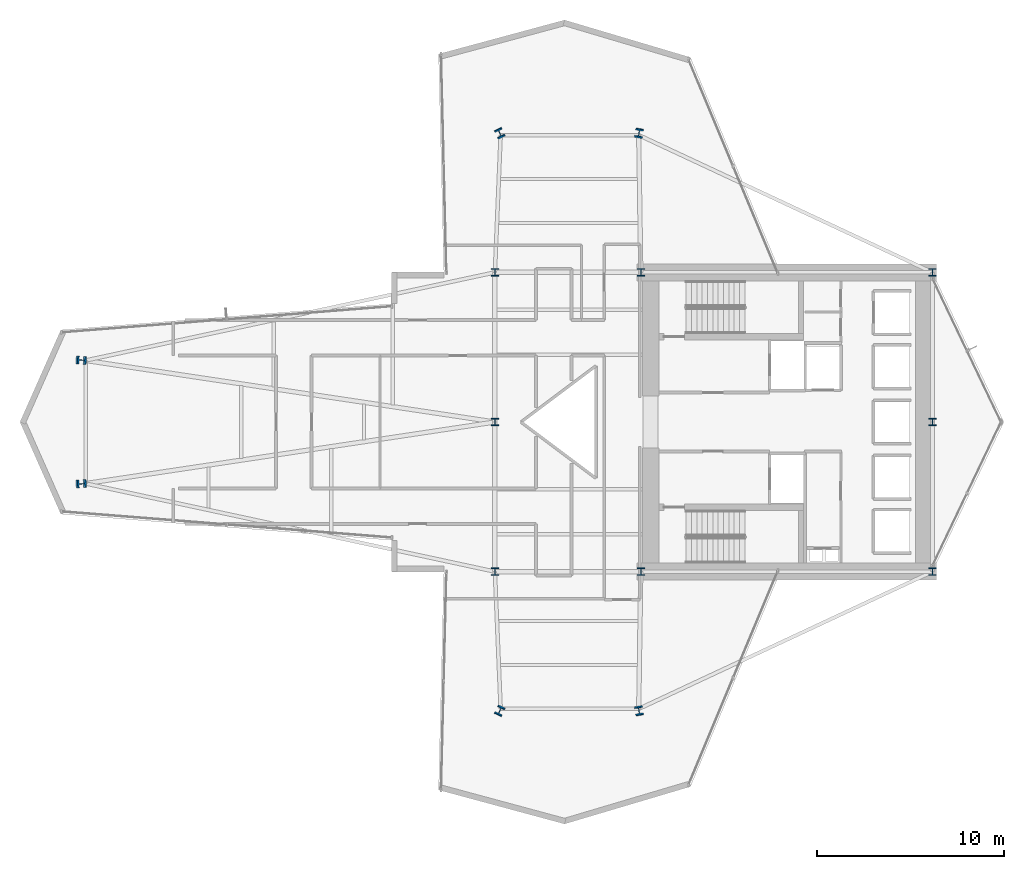
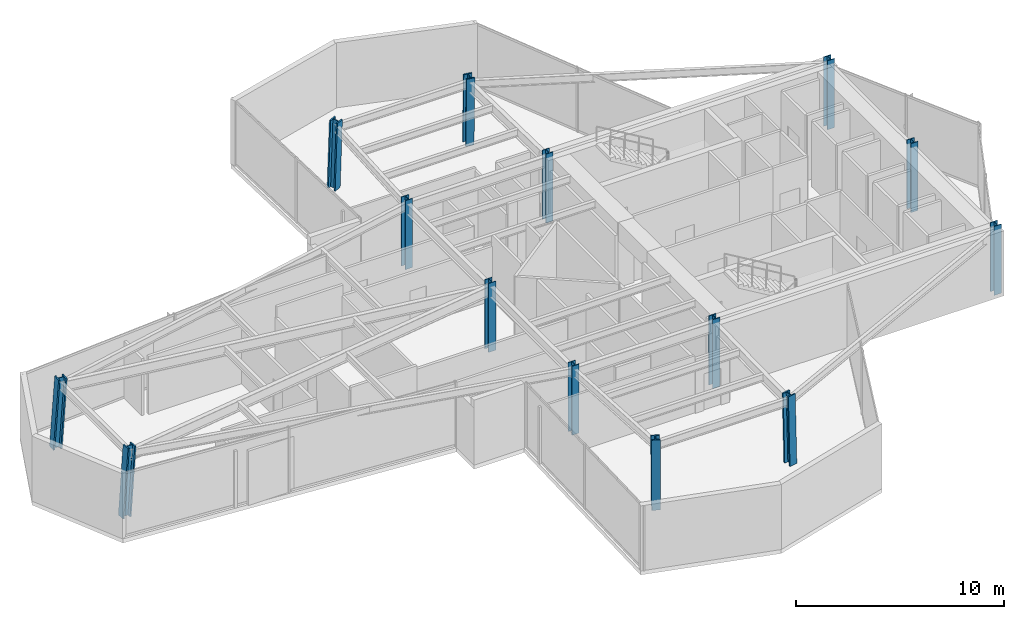
# One storey, part 1 of 25: 14 columns.
"""IFC4 building model written with IfcOpenShell, lengths in metres."""

from ifc_helpers import new_model, si_unit, direction, frame, origin, origin_2d, place, context, subcontext, project, spatial, i_section, extrude, material, material_profile, profile_set, type_object, element, save


model = new_model("IFC4")

# Units and contexts
model_context = context("Model", 3, precision=1e-05, world=origin(), true_north=direction((0.0, 1.0)))
body_context = subcontext(model_context, "Body", "Model", "MODEL_VIEW")
ifc_project = project(units=[si_unit("LENGTHUNIT", "METRE"), si_unit("AREAUNIT", "SQUARE_METRE"), si_unit("VOLUMEUNIT", "CUBIC_METRE"), si_unit("PLANEANGLEUNIT", "RADIAN"), si_unit("MASSUNIT", "GRAM", prefix="KILO")], contexts=[model_context])

# Site, building, storey
site_placement = place(None, origin())
site = spatial("IfcSite", under=ifc_project, at=site_placement, CompositionType="ELEMENT")
building_placement = place(site_placement, origin())
building = spatial("IfcBuilding", under=site, at=building_placement, Name="Veymaron Broadcast Tower", CompositionType="ELEMENT")
storey_placement = place(building_placement, frame((0.0, 0.0, 82.35009765625)))
storey = spatial("IfcBuildingStorey", under=building, at=storey_placement, Name="L18", CompositionType="ELEMENT", Elevation=82.35009765625)

# Columns
ifc_material = material(Name="Structural steel ASTM A913 Gr 65", Category="steel")
ifc_material_profile_1 = material_profile(ifc_material, i_section(OverallWidth=0.40087890625, OverallDepth=0.39892578125, WebThickness=0.02490234375, FlangeThickness=0.03955078125, at=origin_2d()), Name="W360X314")
ifc_profile_set_1 = profile_set([ifc_material_profile_1], Name="Structural steel ASTM A913 Gr 65")
column_type_1 = type_object("IfcColumnType", Name="COL-HC1", PredefinedType="COLUMN", material=ifc_profile_set_1)
for number, where, z_axis, x_axis, name in (
    (1, (31.199951171875, 16.0, 0.0), (0.0, 0.0, 1.0), (1.0, 0.0, 0.0), "L18 structural hub and core column"),
    (2, (31.199951171875, 24.0, 0.0), (0.0, 0.0, 1.0), (1.0, 0.0, 0.0), "L18 structural hub and core column"),
    (3, (31.199951171875, 32.0, 0.0), (0.0, 0.0, 1.0), (1.0, 0.0, 0.0), "L18 structural hub and core column"),
    (4, (39.0, 16.0, 0.0), (0.0, 0.0, 1.0), (1.0, 0.0, 0.0), "L18 structural hub and core column"),
    (5, (39.0, 32.0, 0.0), (0.0, 0.0, 1.0), (1.0, 0.0, 0.0), "L18 structural hub and core column"),
    (6, (54.60009765625, 16.0, 0.0), (0.0, 0.0, 1.0), (1.0, 0.0, 0.0), "L18 structural hub and core column"),
    (7, (54.60009765625, 24.0, 0.0), (0.0, 0.0, 1.0), (1.0, 0.0, 0.0), "L18 structural hub and core column"),
    (8, (54.60009765625, 32.0, 0.0), (0.0, 0.0, 1.0), (1.0, 0.0, 0.0), "L18 structural hub and core column"),
):
    element("IfcColumn", number, at=place(storey_placement, frame(where, z_axis=z_axis, x_axis=x_axis)), inside=storey, type_object=column_type_1, Name=name, PredefinedType="COLUMN", context=body_context, shape_type="SweptSolid", body=[
        extrude(i_section(OverallWidth=0.40087890625, OverallDepth=0.39892578125, WebThickness=0.02490234375, FlangeThickness=0.03955078125, at=origin_2d()), origin(), (0.0, 0.0, 1.0), 4.0439453125),
    ])
ifc_material_profile_2 = material_profile(ifc_material, i_section(OverallWidth=0.424072265625, OverallDepth=0.47412109375, WebThickness=0.047607421875, FlangeThickness=0.076904296875, at=origin_2d()), Name="W360X634")
ifc_profile_set_2 = profile_set([ifc_material_profile_2], Name="Structural steel ASTM A913 Gr 65")
column_type_2 = type_object("IfcColumnType", Name="COL-MC1", PredefinedType="COLUMN", material=ifc_profile_set_2)
for number, where, z_axis, x_axis, name in (
    (9, (9.0419921875, 20.68994140625, 0.015869140625), (0.06855783901, 0.004970594871, 0.99763476077), (-0.072312401922, 0.997382031384, 0.0), "L18 Tapered Wing Mega Column"),
    (10, (9.0419921875, 27.31005859375, 0.015869140625), (0.06855783901, -0.004970594871, 0.99763476077), (0.072312401922, 0.997382031384, 0.0), "L18 Tapered Wing Mega Column"),
):
    element("IfcColumn", number, at=place(storey_placement, frame(where, z_axis=z_axis, x_axis=x_axis)), inside=storey, type_object=column_type_2, Name=name, PredefinedType="COLUMN", context=body_context, shape_type="SweptSolid", body=[
        extrude(i_section(OverallWidth=0.424072265625, OverallDepth=0.47412109375, WebThickness=0.047607421875, FlangeThickness=0.076904296875, at=origin_2d()), origin(), (0.0, 0.0, 1.0), 4.027587890625),
    ])
column_1_placement = place(storey_placement, frame((31.451904296875, 39.4599609375, 0.015869140625), z_axis=(0.013967388966, -0.029817339053, 0.999457772163), x_axis=(0.905569653976, 0.424197597586, 0.0)))
element("IfcColumn", 11, at=column_1_placement, inside=storey, type_object=column_type_2, Name="L18 Tapered Wing Mega Column", PredefinedType="COLUMN", context=body_context, shape_type="SweptSolid", body=[
    extrude(i_section(OverallWidth=0.424072265625, OverallDepth=0.47412109375, WebThickness=0.047607421875, FlangeThickness=0.076904296875, at=origin_2d()), origin(), (0.0, 0.0, 1.0), 4.020263671875),
])
column_2_placement = place(storey_placement, frame((38.909912109375, 39.4599609375, 0.015869140625), z_axis=(-0.004980101856, -0.029819878186, 0.999542882247), x_axis=(0.986339577116, -0.164724735893, 0.0)))
element("IfcColumn", 12, at=column_2_placement, inside=storey, type_object=column_type_2, Name="L18 Tapered Wing Mega Column", PredefinedType="COLUMN", context=body_context, shape_type="SweptSolid", body=[
    extrude(i_section(OverallWidth=0.424072265625, OverallDepth=0.47412109375, WebThickness=0.047607421875, FlangeThickness=0.076904296875, at=origin_2d()), origin(), (0.0, 0.0, 1.0), 4.02001953125),
])
column_3_placement = place(storey_placement, frame((31.451904296875, 8.5400390625, 0.015869140625), z_axis=(0.013967388966, 0.029817339053, 0.999457772163), x_axis=(-0.905569653976, 0.424197597586, 0.0)))
element("IfcColumn", 13, at=column_3_placement, inside=storey, type_object=column_type_2, Name="L18 Tapered Wing Mega Column", PredefinedType="COLUMN", context=body_context, shape_type="SweptSolid", body=[
    extrude(i_section(OverallWidth=0.424072265625, OverallDepth=0.47412109375, WebThickness=0.047607421875, FlangeThickness=0.076904296875, at=origin_2d()), origin(), (0.0, 0.0, 1.0), 4.020263671875),
])
column_4_placement = place(storey_placement, frame((38.909912109375, 8.5400390625, 0.015869140625), z_axis=(-0.004980101856, 0.029819878186, 0.999542882247), x_axis=(-0.986339577116, -0.164724735893, 0.0)))
element("IfcColumn", 14, at=column_4_placement, inside=storey, type_object=column_type_2, Name="L18 Tapered Wing Mega Column", PredefinedType="COLUMN", context=body_context, shape_type="SweptSolid", body=[
    extrude(i_section(OverallWidth=0.424072265625, OverallDepth=0.47412109375, WebThickness=0.047607421875, FlangeThickness=0.076904296875, at=origin_2d()), origin(), (0.0, 0.0, 1.0), 4.02001953125),
])

save(model, "model.ifc")
